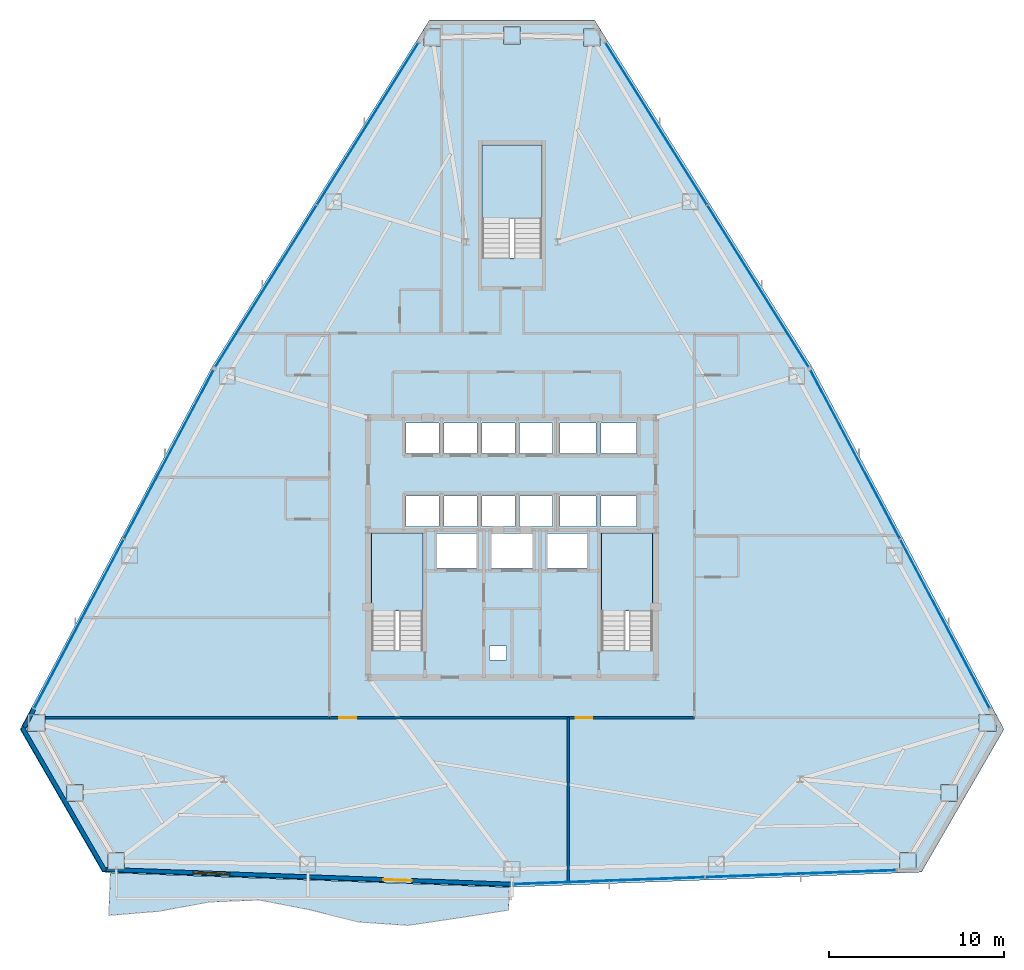
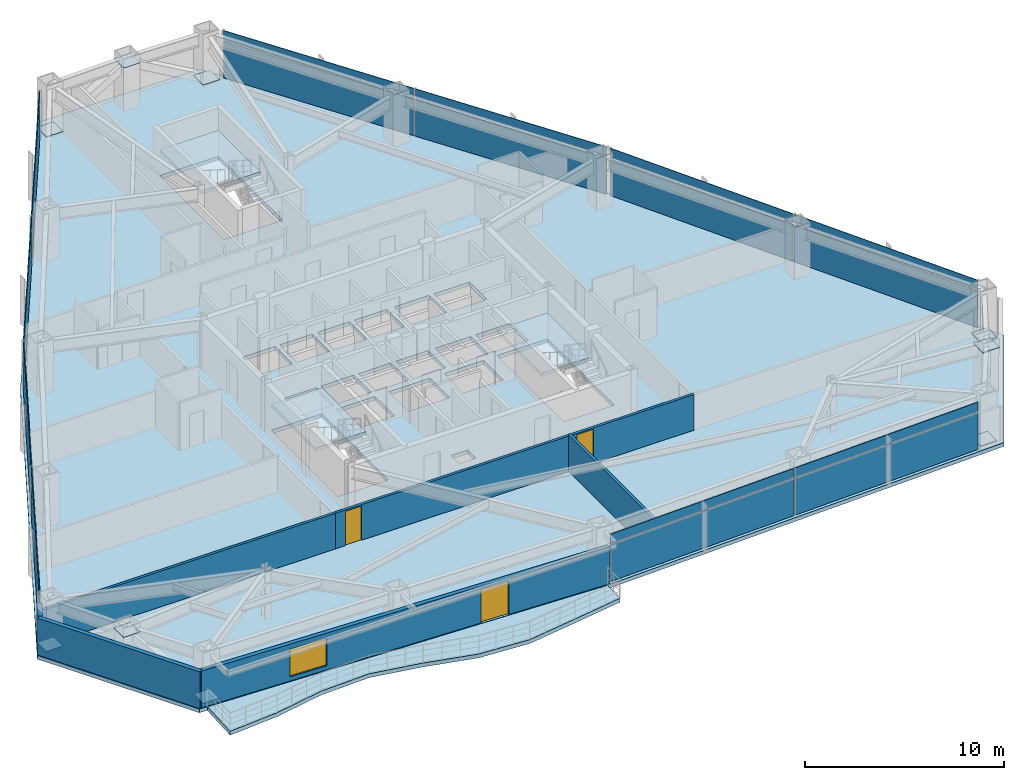
# One storey, part 8 of 13: 29 plates, 6 walls, 5 slabs, 3 doors, 1 window, 4 openings, 8 elements without a shape of their own.
"""IFC4 building model written with IfcOpenShell, lengths in metres."""

from ifc_helpers import new_model, si_unit, direction, frame, frame_2d, origin, origin_2d, place, context, subcontext, project, spatial, polyline, rectangle, outline, extrude, source, transform, mapped, material, layer, layer_set, type_object, type_shapes, element, fill, aggregate, save


model = new_model("IFC4")

# Units and contexts
model_context = context("Model", 3, precision=1e-05, world=origin(), true_north=direction((0.0, 1.0)))
body_context = subcontext(model_context, "Body", "Model", "MODEL_VIEW")
ifc_project = project(units=[si_unit("LENGTHUNIT", "METRE"), si_unit("AREAUNIT", "SQUARE_METRE"), si_unit("VOLUMEUNIT", "CUBIC_METRE"), si_unit("PLANEANGLEUNIT", "RADIAN"), si_unit("MASSUNIT", "GRAM", prefix="KILO")], contexts=[model_context])

# Site, building, storey
site_placement = place(None, origin())
site = spatial("IfcSite", under=ifc_project, at=site_placement, CompositionType="ELEMENT")
building_placement = place(site_placement, origin())
building = spatial("IfcBuilding", under=site, at=building_placement, Name="Varakhsha Concourse Tower", CompositionType="ELEMENT")
storey_placement = place(building_placement, frame((0.0, 0.0, 99.0)))
storey = spatial("IfcBuildingStorey", under=building, at=storey_placement, Name="L28", CompositionType="ELEMENT", Elevation=99.0)

# Slab
ifc_material_1 = material(Name="Concrete fc 45 MPa", Category="concrete")
ifc_layer_1 = layer(ifc_material_1, 0.22998046875, Name="SL-FLR-230")
ifc_layer_set_1 = layer_set([ifc_layer_1], Name="Concrete fc 45 MPa")
slab_type_1 = type_object("IfcSlabType", Name="SL-FLR-230", PredefinedType="FLOOR", material=ifc_layer_set_1)
slab_1_placement = place(storey_placement, frame((0.0, 0.0, -0.22998046875)))
element("IfcSlab", 1, at=slab_1_placement, inside=storey, type_object=slab_type_1, Name="L28 Composite Structural Slab", PredefinedType="FLOOR", context=body_context, shape_type="SweptSolid", body=[
    extrude(outline(polyline([(44.699951171875, 53.859375), (35.300048828125, 53.859375), (22.8955078125, 34.0751953125), (11.964111328125, 13.440673828125), (16.664306640625, 5.300048828125), (40.0, 4.449462890625), (63.335693359375, 5.300048828125), (68.035888671875, 13.440673828125), (57.1044921875, 34.0751953125), (44.699951171875, 53.859375)]), holes=[polyline([(34.919921875, 17.93994140625), (34.919921875, 24.6298828125), (32.0, 24.6298828125), (32.0, 17.93994140625), (34.919921875, 17.93994140625)]), polyline([(48.02001953125, 17.93994140625), (48.02001953125, 24.6298828125), (45.10009765625, 24.6298828125), (45.10009765625, 17.93994140625), (48.02001953125, 17.93994140625)]), polyline([(41.699951171875, 40.300048828125), (41.699951171875, 46.75), (38.300048828125, 46.75), (38.300048828125, 40.300048828125), (41.699951171875, 40.300048828125)]), polyline([(33.9599609375, 29.159912109375), (35.840087890625, 29.159912109375), (35.840087890625, 30.89990234375), (33.9599609375, 30.89990234375), (33.9599609375, 29.159912109375)]), polyline([(36.1201171875, 29.159912109375), (38.0, 29.159912109375), (38.0, 30.89990234375), (36.1201171875, 30.89990234375), (36.1201171875, 29.159912109375)]), polyline([(38.280029296875, 29.159912109375), (40.159912109375, 29.159912109375), (40.159912109375, 30.89990234375), (38.280029296875, 30.89990234375), (38.280029296875, 29.159912109375)]), polyline([(40.43994140625, 29.159912109375), (42.320068359375, 29.159912109375), (42.320068359375, 30.89990234375), (40.43994140625, 30.89990234375), (40.43994140625, 29.159912109375)]), polyline([(33.9599609375, 25.0), (35.840087890625, 25.0), (35.840087890625, 26.739990234375), (33.9599609375, 26.739990234375), (33.9599609375, 25.0)]), polyline([(36.1201171875, 25.0), (38.0, 25.0), (38.0, 26.739990234375), (36.1201171875, 26.739990234375), (36.1201171875, 25.0)]), polyline([(38.280029296875, 25.0), (40.159912109375, 25.0), (40.159912109375, 26.739990234375), (38.280029296875, 26.739990234375), (38.280029296875, 25.0)]), polyline([(40.43994140625, 25.0), (42.320068359375, 25.0), (42.320068359375, 26.739990234375), (40.43994140625, 26.739990234375), (40.43994140625, 25.0)]), polyline([(42.739990234375, 29.159912109375), (44.780029296875, 29.159912109375), (44.780029296875, 30.89990234375), (42.739990234375, 30.89990234375), (42.739990234375, 29.159912109375)]), polyline([(45.06005859375, 29.159912109375), (47.10009765625, 29.159912109375), (47.10009765625, 30.89990234375), (45.06005859375, 30.89990234375), (45.06005859375, 29.159912109375)]), polyline([(42.739990234375, 25.0), (44.780029296875, 25.0), (44.780029296875, 26.739990234375), (42.739990234375, 26.739990234375), (42.739990234375, 25.0)]), polyline([(45.06005859375, 25.0), (47.10009765625, 25.0), (47.10009765625, 26.739990234375), (45.06005859375, 26.739990234375), (45.06005859375, 25.0)]), polyline([(35.7099609375, 22.639892578125), (37.989990234375, 22.639892578125), (37.989990234375, 24.60009765625), (35.7099609375, 24.60009765625), (35.7099609375, 22.639892578125)]), polyline([(42.010009765625, 22.639892578125), (44.2900390625, 22.639892578125), (44.2900390625, 24.60009765625), (42.010009765625, 24.60009765625), (42.010009765625, 22.639892578125)]), polyline([(38.81005859375, 22.639892578125), (41.18994140625, 22.639892578125), (41.18994140625, 24.60009765625), (38.81005859375, 24.60009765625), (38.81005859375, 22.639892578125)]), polyline([(38.719970703125, 17.39990234375), (39.679931640625, 17.39990234375), (39.679931640625, 18.199951171875), (38.719970703125, 18.199951171875), (38.719970703125, 17.39990234375)])]), origin(), (0.0, 0.0, 1.0), 0.22998046875),
])

# Stair, slab
stair_type_1 = type_object("IfcStairType", Name="ST-DOGLEG-1360", PredefinedType="HALF_TURN_STAIR", material=ifc_material_1)
stair_1_placement = place(storey_placement, origin())
stair_1 = element("IfcStair", 2, at=stair_1_placement, inside=storey, type_object=stair_type_1, Name="L28 Protected Exit Stair ST1", PredefinedType="HALF_TURN_STAIR")
ifc_layer_2 = layer(ifc_material_1, 0.199951171875, Name="SL-LAND-200")
ifc_layer_set_2 = layer_set([ifc_layer_2], Name="Concrete fc 45 MPa")
slab_type_2 = type_object("IfcSlabType", Name="SL-LAND-200", PredefinedType="LANDING", material=ifc_layer_set_2)
slab_2_placement = place(storey_placement, frame((0.0, 0.0, 1.39990234375)))
slab_2 = element("IfcSlab", 3, at=slab_2_placement, type_object=slab_type_2, Name="ST1 landing 1", PredefinedType="LANDING", context=body_context, shape_type="SweptSolid", body=[
    extrude(outline(polyline([(34.919921875, 20.179931640625), (34.919921875, 24.6298828125), (32.0, 24.6298828125), (32.0, 20.179931640625), (34.919921875, 20.179931640625)])), origin(), (0.0, 0.0, 1.0), 0.2001953125),
])
aggregate(stair_1, [slab_2])

stair_2_placement = place(storey_placement, origin())
stair_2 = element("IfcStair", 4, at=stair_2_placement, inside=storey, type_object=stair_type_1, Name="L28 Protected Exit Stair ST2", PredefinedType="HALF_TURN_STAIR")
slab_3_placement = place(storey_placement, frame((0.0, 0.0, 1.39990234375)))
slab_3 = element("IfcSlab", 5, at=slab_3_placement, type_object=slab_type_2, Name="ST2 landing 1", PredefinedType="LANDING", context=body_context, shape_type="SweptSolid", body=[
    extrude(outline(polyline([(48.02001953125, 20.179931640625), (48.02001953125, 24.6298828125), (45.10009765625, 24.6298828125), (45.10009765625, 20.179931640625), (48.02001953125, 20.179931640625)])), origin(), (0.0, 0.0, 1.0), 0.2001953125),
])
aggregate(stair_2, [slab_3])

stair_type_2 = type_object("IfcStairType", Name="ST-DOGLEG-1600", PredefinedType="HALF_TURN_STAIR", material=ifc_material_1)
stair_3_placement = place(storey_placement, origin())
stair_3 = element("IfcStair", 6, at=stair_3_placement, inside=storey, type_object=stair_type_2, Name="L28 Protected Exit Stair ST5", PredefinedType="HALF_TURN_STAIR")
slab_4_placement = place(storey_placement, frame((0.0, 0.0, 1.39990234375)))
slab_4 = element("IfcSlab", 7, at=slab_4_placement, type_object=slab_type_2, Name="ST5 landing 1", PredefinedType="LANDING", context=body_context, shape_type="SweptSolid", body=[
    extrude(outline(polyline([(41.699951171875, 42.5400390625), (41.699951171875, 46.75), (38.300048828125, 46.75), (38.300048828125, 42.5400390625), (41.699951171875, 42.5400390625)])), origin(), (0.0, 0.0, 1.0), 0.2001953125),
])
aggregate(stair_3, [slab_4])

# Slab
ifc_layer_3 = layer(ifc_material_1, 0.239990234375, Name="SL-TERR-240")
ifc_layer_set_3 = layer_set([ifc_layer_3], Name="Concrete fc 45 MPa")
slab_type_3 = type_object("IfcSlabType", Name="SL-TERR-240", PredefinedType="FLOOR", material=ifc_layer_set_3)
slab_5_placement = place(storey_placement, frame((0.0, 0.0, -0.239990234375)))
element("IfcSlab", 8, at=slab_5_placement, inside=storey, type_object=slab_type_3, Name="L28 Hotel Wave Sky-Loggia Balcony", PredefinedType="FLOOR", context=body_context, shape_type="SweptSolid", body=[
    extrude(outline(polyline([(17.11328125, 5.2685546875), (39.849609375, 4.43994140625), (39.802001953125, 3.135009765625), (36.93994140625, 2.68798828125), (34.07861328125, 2.265380859375), (31.239990234375, 2.4580078125), (28.419921875, 3.166015625), (25.593994140625, 3.710693359375), (22.743896484375, 3.5966796875), (19.87890625, 3.068359375), (17.024658203125, 2.835205078125), (17.11328125, 5.2685546875)])), origin(), (0.0, 0.0, 1.0), 0.239990234375),
])

# Plates
ifc_material_2 = material(Name="Structural Steel ASTM A572 Grade 50", Category="steel")
ifc_layer_4 = layer(ifc_material_2, 0.030029296875, Name="PL-ENDCAP-950")
ifc_layer_set_4 = layer_set([ifc_layer_4], Name="Structural Steel ASTM A572 Grade 50")
plate_type_1 = type_object("IfcPlateType", Name="PL-ENDCAP-950", PredefinedType="USERDEFINED", material=ifc_layer_set_4)
shared_shape_1 = source(origin(), body_context, "Body", "SweptSolid", [
    extrude(rectangle(XDim=0.949951171875, YDim=0.949951171875, at=origin_2d()), origin(), (0.0, 0.0, 1.0), 0.030029296875),
])
type_shapes(plate_type_1, [shared_shape_1])
for number, where, z_axis, x_axis, name in (
    (9, (44.54150390625, 52.85986328125, 0.10498046875), (0.0, 0.0, 1.0), (1.0, 0.0, 0.0), "Hollow Section End Cap GP-NODE-L28-0265"),
    (10, (40.0, 52.9794921875, 2.65478515625), (0.0, 0.0, 1.0), (1.0, 0.0, 0.0), "Hollow Section End Cap GP-NODE-L28-0266"),
    (11, (35.45849609375, 52.85986328125, 0.10498046875), (0.0, 0.0, 1.0), (1.0, 0.0, 0.0), "Hollow Section End Cap GP-NODE-L28-0267"),
    (12, (12.908935546875, 13.80322265625, 0.10498046875), (0.0, 0.0, 1.0), (1.0, 0.0, 0.0), "Hollow Section End Cap GP-NODE-L28-0268"),
    (13, (15.076416015625, 9.810302734375, 2.65478515625), (0.0, 0.0, 1.0), (1.0, 0.0, 0.0), "Hollow Section End Cap GP-NODE-L28-0269"),
    (14, (17.45068359375, 5.93701171875, 0.10498046875), (0.0, 0.0, 1.0), (1.0, 0.0, 0.0), "Hollow Section End Cap GP-NODE-L28-0270"),
    (15, (62.54931640625, 5.93701171875, 0.10498046875), (0.0, 0.0, 1.0), (1.0, 0.0, 0.0), "Hollow Section End Cap GP-NODE-L28-0271"),
    (16, (64.923583984375, 9.810302734375, 2.65478515625), (0.0, 0.0, 1.0), (1.0, 0.0, 0.0), "Hollow Section End Cap GP-NODE-L28-0272"),
    (17, (67.091064453125, 13.80322265625, 0.10498046875), (0.0, 0.0, 1.0), (1.0, 0.0, 0.0), "Hollow Section End Cap GP-NODE-L28-0273"),
):
    element("IfcPlate", number, at=place(storey_placement, frame(where, z_axis=z_axis, x_axis=x_axis)), inside=storey, type_object=plate_type_1, Name=name, ObjectType="END PLATE", PredefinedType="USERDEFINED", context=body_context, shape_type="MappedRepresentation", body=[
        mapped(shared_shape_1, transform((0.0, 0.0, 0.0), scale=1.0)),
    ])

# Curtain wall, plates
ifc_material_3 = material(Name="Anodised Bronze Architectural Aluminium AA 6063-T6", Category="aluminium")
ifc_layer_5 = layer(ifc_material_3, 0.199951171875, Name="CW-SYS-03")
ifc_layer_set_5 = layer_set([ifc_layer_5], Name="Anodised Bronze Architectural Aluminium AA 6063-T6")
curtain_wall_type = type_object("IfcCurtainWallType", Name="CW-SYS-03", PredefinedType="NOTDEFINED", material=ifc_layer_set_5)
curtain_wall_1_placement = place(storey_placement, origin())
curtain_wall_1 = element("IfcCurtainWall", 18, at=curtain_wall_1_placement, inside=storey, type_object=curtain_wall_type, Name="L28 Crystal Curtain Wall F2", PredefinedType="NOTDEFINED")
ifc_material_4 = material(Name="Low-E Triple Insulating Glass IGU 44 mm", Category="glass")
ifc_layer_6 = layer(ifc_material_4, 0.0439453125, Name="CWP-IGU-44")
ifc_layer_set_6 = layer_set([ifc_layer_6], Name="Low-E Triple Insulating Glass IGU 44 mm")
plate_type_2 = type_object("IfcPlateType", Name="CWP-IGU-44", PredefinedType="CURTAIN_PANEL", material=ifc_layer_set_6)
shared_shape_2 = source(origin(), body_context, "Body", "SweptSolid", [
    extrude(rectangle(XDim=10.8466796875, YDim=0.0439453125, at=origin_2d()), origin(), (0.0, 0.0, 1.0), 2.2509765625),
])
type_shapes(plate_type_2, [shared_shape_2])
plate_1_placement = place(storey_placement, frame((25.9755859375, 38.686279296875, 0.034423828125), z_axis=(0.0, 0.0, 1.0), x_axis=(0.531209317405, 0.847240615824, 0.0)))
plate_1 = element("IfcPlate", 19, at=plate_1_placement, type_object=plate_type_2, Name="CW-L28-F2 Panel 00-00", PredefinedType="CURTAIN_PANEL", context=body_context, shape_type="MappedRepresentation", body=[
    mapped(shared_shape_2, transform((0.0, 0.0, 0.0), scale=1.0)),
])
plate_2_placement = place(storey_placement, frame((31.779296875, 47.943115234375, 0.034423828125), z_axis=(0.0, 0.0, 1.0), x_axis=(0.531209317405, 0.847240615824, 0.0)))
plate_2 = element("IfcPlate", 20, at=plate_2_placement, type_object=plate_type_2, Name="CW-L28-F2 Panel 01-00", PredefinedType="CURTAIN_PANEL", context=body_context, shape_type="MappedRepresentation", body=[
    mapped(shared_shape_2, transform((0.0, 0.0, 0.0), scale=1.0)),
])

curtain_wall_2_placement = place(storey_placement, origin())
curtain_wall_2 = element("IfcCurtainWall", 21, at=curtain_wall_2_placement, inside=storey, type_object=curtain_wall_type, Name="L28 Crystal Curtain Wall F3", PredefinedType="NOTDEFINED")
plate_3_placement = place(storey_placement, frame((15.32763671875, 19.44775390625, 0.034423828125), z_axis=(0.0, 0.0, 1.0), x_axis=(0.468124153157, 0.883662705579, 0.0)))
plate_3 = element("IfcPlate", 22, at=plate_3_placement, type_object=plate_type_2, Name="CW-L28-F3 Panel 00-00", PredefinedType="CURTAIN_PANEL", context=body_context, shape_type="MappedRepresentation", body=[
    mapped(shared_shape_2, transform((0.0, 0.0, 0.0), scale=1.0)),
])
plate_4_placement = place(storey_placement, frame((20.442138671875, 29.102294921875, 0.034423828125), z_axis=(0.0, 0.0, 1.0), x_axis=(0.468124153157, 0.883662705579, 0.0)))
plate_4 = element("IfcPlate", 23, at=plate_4_placement, type_object=plate_type_2, Name="CW-L28-F3 Panel 01-00", PredefinedType="CURTAIN_PANEL", context=body_context, shape_type="MappedRepresentation", body=[
    mapped(shared_shape_2, transform((0.0, 0.0, 0.0), scale=1.0)),
])

curtain_wall_3_placement = place(storey_placement, origin())
curtain_wall_3 = element("IfcCurtainWall", 24, at=curtain_wall_3_placement, inside=storey, type_object=curtain_wall_type, Name="L28 Crystal Curtain Wall F6", PredefinedType="NOTDEFINED")
plate_5_placement = place(storey_placement, frame((56.45166015625, 5.209228515625, 0.034423828125), z_axis=(0.0, 0.0, 1.0), x_axis=(-0.999336427987, -0.03642394403, 0.0)))
plate_5 = element("IfcPlate", 25, at=plate_5_placement, type_object=plate_type_2, Name="CW-L28-F6 Panel 00-00", PredefinedType="CURTAIN_PANEL", context=body_context, shape_type="MappedRepresentation", body=[
    mapped(shared_shape_2, transform((0.0, 0.0, 0.0), scale=1.0)),
])
plate_6_placement = place(storey_placement, frame((45.533203125, 4.811279296875, 0.034423828125), z_axis=(0.0, 0.0, 1.0), x_axis=(-0.999336427987, -0.03642394403, 0.0)))
plate_6 = element("IfcPlate", 26, at=plate_6_placement, type_object=plate_type_2, Name="CW-L28-F6 Panel 01-00", PredefinedType="CURTAIN_PANEL", context=body_context, shape_type="MappedRepresentation", body=[
    mapped(shared_shape_2, transform((0.0, 0.0, 0.0), scale=1.0)),
])

curtain_wall_4_placement = place(storey_placement, origin())
curtain_wall_4 = element("IfcCurtainWall", 27, at=curtain_wall_4_placement, inside=storey, type_object=curtain_wall_type, Name="L28 Crystal Curtain Wall F8", PredefinedType="NOTDEFINED")
plate_7_placement = place(storey_placement, frame((59.557861328125, 29.102294921875, 0.034423828125), z_axis=(0.0, 0.0, 1.0), x_axis=(0.468124153157, -0.883662705579, 0.0)))
plate_7 = element("IfcPlate", 28, at=plate_7_placement, type_object=plate_type_2, Name="CW-L28-F8 Panel 00-00", PredefinedType="CURTAIN_PANEL", context=body_context, shape_type="MappedRepresentation", body=[
    mapped(shared_shape_2, transform((0.0, 0.0, 0.0), scale=1.0)),
])
plate_8_placement = place(storey_placement, frame((64.67236328125, 19.44775390625, 0.034423828125), z_axis=(0.0, 0.0, 1.0), x_axis=(0.468124153157, -0.883662705579, 0.0)))
plate_8 = element("IfcPlate", 29, at=plate_8_placement, type_object=plate_type_2, Name="CW-L28-F8 Panel 01-00", PredefinedType="CURTAIN_PANEL", context=body_context, shape_type="MappedRepresentation", body=[
    mapped(shared_shape_2, transform((0.0, 0.0, 0.0), scale=1.0)),
])

curtain_wall_5_placement = place(storey_placement, origin())
curtain_wall_5 = element("IfcCurtainWall", 30, at=curtain_wall_5_placement, inside=storey, type_object=curtain_wall_type, Name="L28 Crystal Curtain Wall F9", PredefinedType="NOTDEFINED")
plate_9_placement = place(storey_placement, frame((48.220703125, 47.943115234375, 0.034423828125), z_axis=(0.0, 0.0, 1.0), x_axis=(0.531209317405, -0.847240615824, 0.0)))
plate_9 = element("IfcPlate", 31, at=plate_9_placement, type_object=plate_type_2, Name="CW-L28-F9 Panel 00-00", PredefinedType="CURTAIN_PANEL", context=body_context, shape_type="MappedRepresentation", body=[
    mapped(shared_shape_2, transform((0.0, 0.0, 0.0), scale=1.0)),
])
plate_10_placement = place(storey_placement, frame((54.0244140625, 38.686279296875, 0.034423828125), z_axis=(0.0, 0.0, 1.0), x_axis=(0.531209317405, -0.847240615824, 0.0)))
plate_10 = element("IfcPlate", 32, at=plate_10_placement, type_object=plate_type_2, Name="CW-L28-F9 Panel 01-00", PredefinedType="CURTAIN_PANEL", context=body_context, shape_type="MappedRepresentation", body=[
    mapped(shared_shape_2, transform((0.0, 0.0, 0.0), scale=1.0)),
])

# Plate
ifc_material_5 = material(Name="Glazed Turquoise-Bronze Ceramic Spandrel Panel 38 mm", Category="ceramic")
ifc_layer_7 = layer(ifc_material_5, 0.0380859375, Name="CWP-SPN-38")
ifc_layer_set_7 = layer_set([ifc_layer_7], Name="Glazed Turquoise-Bronze Ceramic Spandrel Panel 38 mm")
plate_type_3 = type_object("IfcPlateType", Name="CWP-SPN-38", PredefinedType="USERDEFINED", material=ifc_layer_set_7)
shared_shape_3 = source(origin(), body_context, "Body", "SweptSolid", [
    extrude(rectangle(XDim=10.8466796875, YDim=0.0380859375, at=origin_2d()), origin(), (0.0, 0.0, 1.0), 0.5810546875),
])
type_shapes(plate_type_3, [shared_shape_3])
plate_11_placement = place(storey_placement, frame((25.9755859375, 38.686279296875, 2.3544921875), z_axis=(0.0, 0.0, 1.0), x_axis=(0.531209317405, 0.847240615824, 0.0)))
plate_11 = element("IfcPlate", 33, at=plate_11_placement, type_object=plate_type_3, Name="CW-L28-F2 Panel 00-01", ObjectType="SPANDREL", PredefinedType="USERDEFINED", context=body_context, shape_type="MappedRepresentation", body=[
    mapped(shared_shape_3, transform((0.0, 0.0, 0.0), scale=1.0)),
])

plate_12_placement = place(storey_placement, frame((31.779296875, 47.943115234375, 2.3544921875), z_axis=(0.0, 0.0, 1.0), x_axis=(0.531209317405, 0.847240615824, 0.0)))
plate_12 = element("IfcPlate", 34, at=plate_12_placement, type_object=plate_type_3, Name="CW-L28-F2 Panel 01-01", ObjectType="SPANDREL", PredefinedType="USERDEFINED", context=body_context, shape_type="MappedRepresentation", body=[
    mapped(shared_shape_3, transform((0.0, 0.0, 0.0), scale=1.0)),
])

aggregate(curtain_wall_1, [plate_1, plate_11, plate_2, plate_12])

plate_13_placement = place(storey_placement, frame((15.32763671875, 19.44775390625, 2.3544921875), z_axis=(0.0, 0.0, 1.0), x_axis=(0.468124153157, 0.883662705579, 0.0)))
plate_13 = element("IfcPlate", 35, at=plate_13_placement, type_object=plate_type_3, Name="CW-L28-F3 Panel 00-01", ObjectType="SPANDREL", PredefinedType="USERDEFINED", context=body_context, shape_type="MappedRepresentation", body=[
    mapped(shared_shape_3, transform((0.0, 0.0, 0.0), scale=1.0)),
])

plate_14_placement = place(storey_placement, frame((20.442138671875, 29.102294921875, 2.3544921875), z_axis=(0.0, 0.0, 1.0), x_axis=(0.468124153157, 0.883662705579, 0.0)))
plate_14 = element("IfcPlate", 36, at=plate_14_placement, type_object=plate_type_3, Name="CW-L28-F3 Panel 01-01", ObjectType="SPANDREL", PredefinedType="USERDEFINED", context=body_context, shape_type="MappedRepresentation", body=[
    mapped(shared_shape_3, transform((0.0, 0.0, 0.0), scale=1.0)),
])

aggregate(curtain_wall_2, [plate_3, plate_13, plate_4, plate_14])

plate_15_placement = place(storey_placement, frame((56.45166015625, 5.209228515625, 2.3544921875), z_axis=(0.0, 0.0, 1.0), x_axis=(-0.999336427987, -0.03642394403, 0.0)))
plate_15 = element("IfcPlate", 37, at=plate_15_placement, type_object=plate_type_3, Name="CW-L28-F6 Panel 00-01", ObjectType="SPANDREL", PredefinedType="USERDEFINED", context=body_context, shape_type="MappedRepresentation", body=[
    mapped(shared_shape_3, transform((0.0, 0.0, 0.0), scale=1.0)),
])

plate_16_placement = place(storey_placement, frame((45.533203125, 4.811279296875, 2.3544921875), z_axis=(0.0, 0.0, 1.0), x_axis=(-0.999336427987, -0.03642394403, 0.0)))
plate_16 = element("IfcPlate", 38, at=plate_16_placement, type_object=plate_type_3, Name="CW-L28-F6 Panel 01-01", ObjectType="SPANDREL", PredefinedType="USERDEFINED", context=body_context, shape_type="MappedRepresentation", body=[
    mapped(shared_shape_3, transform((0.0, 0.0, 0.0), scale=1.0)),
])

aggregate(curtain_wall_3, [plate_5, plate_15, plate_6, plate_16])

plate_17_placement = place(storey_placement, frame((59.557861328125, 29.102294921875, 2.3544921875), z_axis=(0.0, 0.0, 1.0), x_axis=(0.468124153157, -0.883662705579, 0.0)))
plate_17 = element("IfcPlate", 39, at=plate_17_placement, type_object=plate_type_3, Name="CW-L28-F8 Panel 00-01", ObjectType="SPANDREL", PredefinedType="USERDEFINED", context=body_context, shape_type="MappedRepresentation", body=[
    mapped(shared_shape_3, transform((0.0, 0.0, 0.0), scale=1.0)),
])

plate_18_placement = place(storey_placement, frame((64.67236328125, 19.44775390625, 2.3544921875), z_axis=(0.0, 0.0, 1.0), x_axis=(0.468124153157, -0.883662705579, 0.0)))
plate_18 = element("IfcPlate", 40, at=plate_18_placement, type_object=plate_type_3, Name="CW-L28-F8 Panel 01-01", ObjectType="SPANDREL", PredefinedType="USERDEFINED", context=body_context, shape_type="MappedRepresentation", body=[
    mapped(shared_shape_3, transform((0.0, 0.0, 0.0), scale=1.0)),
])

aggregate(curtain_wall_4, [plate_7, plate_17, plate_8, plate_18])

plate_19_placement = place(storey_placement, frame((48.220703125, 47.943115234375, 2.3544921875), z_axis=(0.0, 0.0, 1.0), x_axis=(0.531209317405, -0.847240615824, 0.0)))
plate_19 = element("IfcPlate", 41, at=plate_19_placement, type_object=plate_type_3, Name="CW-L28-F9 Panel 00-01", ObjectType="SPANDREL", PredefinedType="USERDEFINED", context=body_context, shape_type="MappedRepresentation", body=[
    mapped(shared_shape_3, transform((0.0, 0.0, 0.0), scale=1.0)),
])

plate_20_placement = place(storey_placement, frame((54.0244140625, 38.686279296875, 2.3544921875), z_axis=(0.0, 0.0, 1.0), x_axis=(0.531209317405, -0.847240615824, 0.0)))
plate_20 = element("IfcPlate", 42, at=plate_20_placement, type_object=plate_type_3, Name="CW-L28-F9 Panel 01-01", ObjectType="SPANDREL", PredefinedType="USERDEFINED", context=body_context, shape_type="MappedRepresentation", body=[
    mapped(shared_shape_3, transform((0.0, 0.0, 0.0), scale=1.0)),
])

aggregate(curtain_wall_5, [plate_9, plate_19, plate_10, plate_20])

# Walls
ifc_layer_8 = layer(ifc_material_1, 0.239990234375, Name="WL-EXT-CRN-240")
ifc_layer_set_8 = layer_set([ifc_layer_8], Name="Concrete fc 45 MPa")
wall_type_1 = type_object("IfcWallType", Name="WL-EXT-CRN-240", PredefinedType="SHEAR", material=ifc_layer_set_8)
wall_1_placement = place(storey_placement, frame((12.752685546875, 14.58740234375, 0.0), z_axis=(0.0, 0.0, 1.0), x_axis=(-0.468090329887, -0.883680622774, 0.0)))
element("IfcWall", 43, at=wall_1_placement, inside=storey, type_object=wall_type_1, Name="L28 Wind-Corner Shoulder Wall F3", PredefinedType="SHEAR", context=body_context, shape_type="SweptSolid", body=[
    extrude(rectangle(XDim=1.16259765625, YDim=0.239990234375, at=frame_2d((0.581298828125, 0.0))), origin(), (0.0, 0.0, 1.0), 2.2529296875),
])
wall_2_placement = place(storey_placement, frame((16.802734375, 5.3798828125, 0.0), z_axis=(0.0, 0.0, 1.0), x_axis=(-0.499996739618, 0.866027286158, 0.0)))
element("IfcWall", 44, at=wall_2_placement, inside=storey, type_object=wall_type_1, Name="L28 Chamfer Wind-Corner Insulated Wall F4", PredefinedType="SHEAR", context=body_context, shape_type="SweptSolid", body=[
    extrude(rectangle(XDim=9.39990234375, YDim=0.239990234375, at=frame_2d((4.699951171875, 0.0))), origin(), (0.0, 0.0, 1.0), 2.2529296875),
])

# Wall, openings, door, window
wall_3_placement = place(storey_placement, frame((39.98583984375, 4.610107421875, 0.0), z_axis=(0.0, 0.0, 1.0), x_axis=(-0.999336422059, 0.036424106652, 0.0)))
wall_3 = element("IfcWall", 45, at=wall_3_placement, inside=storey, type_object=wall_type_1, Name="L28 Sky-Loggia Facade Wall", PredefinedType="SHEAR", context=body_context, shape_type="SweptSolid", body=[
    extrude(rectangle(XDim=23.19140625, YDim=0.239990234375, at=frame_2d((11.595703125, 0.0))), origin(), (0.0, 0.0, 1.0), 2.2529296875),
])
opening_1_placement = place(wall_3_placement, frame((5.714111328125, 0.0, 0.0)))
opening_1 = element("IfcOpeningElement", 46, at=opening_1_placement, cuts=wall_3, Name="Opening DT-02", PredefinedType="OPENING", context=body_context, shape_type="SweptSolid", body=[
    extrude(rectangle(XDim=1.60009765625, YDim=2.0400390625, at=frame_2d((0.800048828125, 1.02001953125))), frame((0.0, 0.1298828125, 0.0), z_axis=(0.0, -1.0, 0.0), x_axis=(1.0, 0.0, 0.0)), (0.0, 0.0, 1.0), 0.260009765625),
])
opening_2_placement = place(wall_3_placement, frame((16.068115234375, 0.0, 0.25)))
opening_2 = element("IfcOpeningElement", 47, at=opening_2_placement, cuts=wall_3, Name="Opening W-04", PredefinedType="OPENING", context=body_context, shape_type="SweptSolid", body=[
    extrude(rectangle(XDim=2.10009765625, YDim=1.699951171875, at=frame_2d((1.050048828125, 0.85009765625))), frame((0.0, 0.1298828125, 0.0), z_axis=(0.0, -1.0, 0.0), x_axis=(1.0, 0.0, 0.0)), (0.0, 0.0, 1.0), 0.260009765625),
])
door_type_1 = type_object("IfcDoorType", Name="DR-LOGGIA-1600", OperationType="DOUBLE_DOOR_SLIDING", PredefinedType="DOOR", material=ifc_material_3)
door_1_placement = place(opening_1_placement, origin())
door_1 = element("IfcDoor", 48, at=door_1_placement, inside=storey, type_object=door_type_1, Name="L28 Sky-Loggia Sliding Glass Door", OperationType="SINGLE_SWING_LEFT", OverallHeight=2.0400390625, OverallWidth=1.60009765625, PredefinedType="DOOR", context=body_context, shape_type="SweptSolid", body=[
    extrude(rectangle(XDim=1.60009765625, YDim=2.0400390625, at=frame_2d((0.800048828125, 1.02001953125))), frame((0.0, 0.02490234375, 0.0), z_axis=(0.0, -1.0, 0.0), x_axis=(1.0, 0.0, 0.0)), (0.0, 0.0, 1.0), 0.050048828125),
])
fill(opening_1, door_1)
window_type = type_object("IfcWindowType", Name="WN-LOGGIA-2100", PartitioningType="SINGLE_PANEL", PredefinedType="WINDOW", material=ifc_material_4)
window_placement = place(opening_2_placement, origin())
window = element("IfcWindow", 49, at=window_placement, inside=storey, type_object=window_type, Name="L28 Sky-Loggia Picture Window 1", OverallHeight=1.699951171875, OverallWidth=2.10009765625, PartitioningType="SINGLE_PANEL", PredefinedType="WINDOW", context=body_context, shape_type="SweptSolid", body=[
    extrude(rectangle(XDim=2.10009765625, YDim=1.699951171875, at=frame_2d((1.050048828125, 0.85009765625))), frame((0.0, 0.030029296875, 0.0), z_axis=(0.0, -1.0, 0.0), x_axis=(1.0, 0.0, 0.0)), (0.0, 0.0, 1.0), 0.06005859375),
])
fill(opening_2, window)

# Wall, openings, doors
ifc_material_6 = material(Name="Fire-Rated Type X Gypsum Partition Assembly", Category="gypsum")
ifc_layer_9 = layer(ifc_material_6, 0.14990234375, Name="WL-PART-150")
ifc_layer_set_9 = layer_set([ifc_layer_9], Name="Fire-Rated Type X Gypsum Partition Assembly")
wall_type_2 = type_object("IfcWallType", Name="WL-PART-150", PredefinedType="PARTITIONING", material=ifc_layer_set_9)
wall_4_placement = place(storey_placement, frame((29.60009765625, 14.10009765625, 0.0), z_axis=(0.0, 0.0, 1.0), x_axis=(1.0, 0.0, 0.0)))
wall_4 = element("IfcWall", 50, at=wall_4_placement, inside=storey, type_object=wall_type_2, Name="L28 Wall CRW-S-L28", PredefinedType="PARTITIONING", context=body_context, shape_type="SweptSolid", body=[
    extrude(rectangle(XDim=20.7998046875, YDim=0.14990234375, at=frame_2d((10.39990234375, 0.0))), origin(), (0.0, 0.0, 1.0), 2.180908203125),
])
opening_3_placement = place(wall_4_placement, frame((0.570068359375, 0.0, 0.0)))
opening_3 = element("IfcOpeningElement", 51, at=opening_3_placement, cuts=wall_4, Name="Opening DF-05", PredefinedType="OPENING", context=body_context, shape_type="SweptSolid", body=[
    extrude(rectangle(XDim=0.949951171875, YDim=2.10009765625, at=frame_2d((0.47509765625, 1.050048828125))), frame((0.0, 0.0849609375, 0.0), z_axis=(0.0, -1.0, 0.0), x_axis=(1.0, 0.0, 0.0)), (0.0, 0.0, 1.0), 0.169921875),
])
opening_4_placement = place(wall_4_placement, frame((14.02001953125, 0.0, 0.0)))
opening_4 = element("IfcOpeningElement", 52, at=opening_4_placement, cuts=wall_4, Name="Opening DF-05", PredefinedType="OPENING", context=body_context, shape_type="SweptSolid", body=[
    extrude(rectangle(XDim=0.949951171875, YDim=2.10009765625, at=frame_2d((0.47509765625, 1.050048828125))), frame((0.0, 0.0849609375, 0.0), z_axis=(0.0, -1.0, 0.0), x_axis=(1.0, 0.0, 0.0)), (0.0, 0.0, 1.0), 0.169921875),
])
ifc_material_7 = material(Name="Hollow Galvanised Steel Fire Door Assembly", Category="steel")
door_type_2 = type_object("IfcDoorType", Name="DR-FD60-950", OperationType="NOTDEFINED", PredefinedType="DOOR", material=ifc_material_7)
door_2_placement = place(opening_3_placement, origin())
door_2 = element("IfcDoor", 53, at=door_2_placement, inside=storey, type_object=door_type_2, Name="L28 Hospitality Conservatory Lounge L28-H01 Door", OperationType="SINGLE_SWING_LEFT", OverallHeight=2.10009765625, OverallWidth=0.949951171875, PredefinedType="DOOR", context=body_context, shape_type="SweptSolid", body=[
    extrude(rectangle(XDim=0.949951171875, YDim=2.10009765625, at=frame_2d((0.47509765625, 1.050048828125))), frame((0.0, 0.02490234375, 0.0), z_axis=(0.0, -1.0, 0.0), x_axis=(1.0, 0.0, 0.0)), (0.0, 0.0, 1.0), 0.050048828125),
])
fill(opening_3, door_2)
door_3_placement = place(opening_4_placement, origin())
door_3 = element("IfcDoor", 54, at=door_3_placement, inside=storey, type_object=door_type_2, Name="L28 Hospitality Conservatory Lounge L28-H02 Door", OperationType="SINGLE_SWING_RIGHT", OverallHeight=2.10009765625, OverallWidth=0.949951171875, PredefinedType="DOOR", context=body_context, shape_type="SweptSolid", body=[
    extrude(rectangle(XDim=0.949951171875, YDim=2.10009765625, at=frame_2d((0.47509765625, 1.050048828125))), frame((0.0, 0.02490234375, 0.0), z_axis=(0.0, -1.0, 0.0), x_axis=(1.0, 0.0, 0.0)), (0.0, 0.0, 1.0), 0.050048828125),
])
fill(opening_4, door_3)

# Walls
wall_5_placement = place(storey_placement, frame((43.199951171875, 4.731201171875, 0.0), z_axis=(0.0, 0.0, 1.0), x_axis=(0.0, 1.0, 0.0)))
element("IfcWall", 55, at=wall_5_placement, inside=storey, type_object=wall_type_2, Name="L28 Wall HDIV-S1-L28", PredefinedType="PARTITIONING", context=body_context, shape_type="SweptSolid", body=[
    extrude(rectangle(XDim=9.368896484375, YDim=0.14990234375, at=frame_2d((4.6845703125, 0.0))), origin(), (0.0, 0.0, 1.0), 2.258056640625),
])
wall_6_placement = place(storey_placement, frame((12.500244140625, 14.10009765625, 0.0), z_axis=(0.0, 0.0, 1.0), x_axis=(1.0, 0.0, 0.0)))
element("IfcWall", 56, at=wall_6_placement, inside=storey, type_object=wall_type_2, Name="L28 Wall HDIV-WB0-L28", PredefinedType="PARTITIONING", context=body_context, shape_type="SweptSolid", body=[
    extrude(rectangle(XDim=17.099853515625, YDim=0.14990234375, at=frame_2d((8.5498046875, 0.0))), origin(), (0.0, 0.0, 1.0), 2.180908203125),
])

save(model, "model.ifc")
